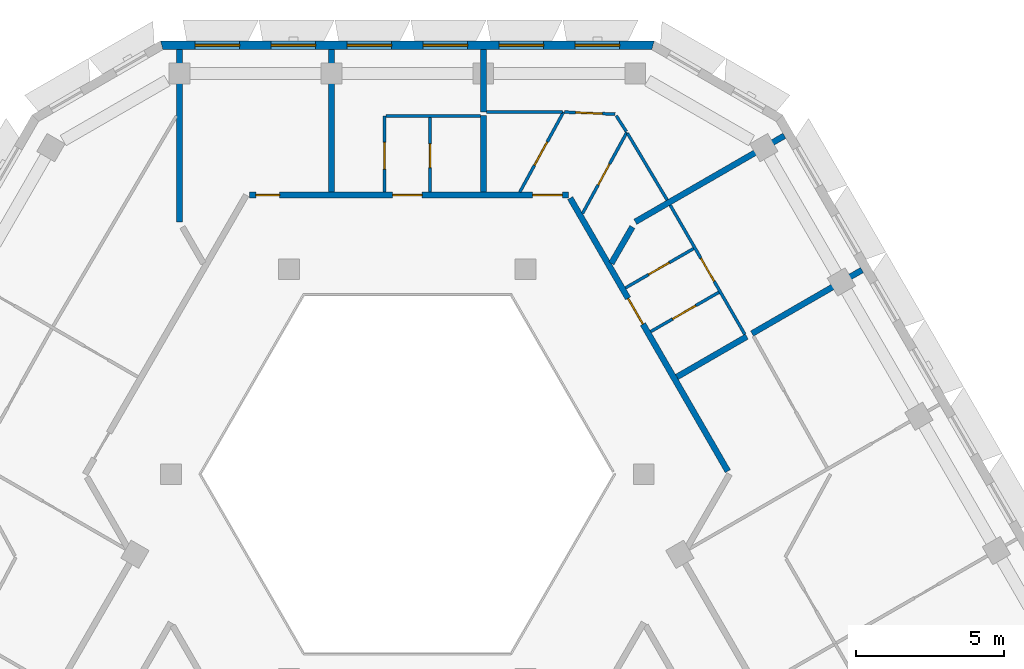
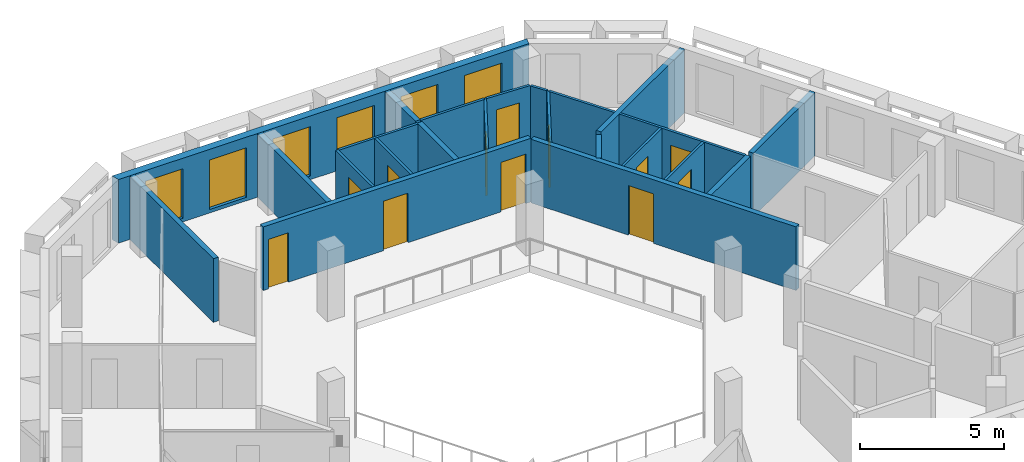
# One storey, part 8 of 16: 23 walls, 12 doors, 6 windows, 18 openings.
"""IFC4 building model written with IfcOpenShell, lengths in metres."""

from ifc_helpers import new_model, si_unit, direction, frame, frame_2d, origin, place, context, subcontext, project, spatial, polyline, rectangle, outline, extrude, material, layer, layer_set, type_object, element, fill, save


model = new_model("IFC4")

# Units and contexts
model_context = context("Model", 3, precision=1e-05, world=origin(), true_north=direction((0.0, 1.0)))
body_context = subcontext(model_context, "Body", "Model", "MODEL_VIEW")
ifc_project = project(units=[si_unit("LENGTHUNIT", "METRE"), si_unit("AREAUNIT", "SQUARE_METRE"), si_unit("VOLUMEUNIT", "CUBIC_METRE"), si_unit("PLANEANGLEUNIT", "RADIAN"), si_unit("MASSUNIT", "GRAM", prefix="KILO")], contexts=[model_context])

# Site, building, storey
site_placement = place(None, origin())
site = spatial("IfcSite", under=ifc_project, at=site_placement, CompositionType="ELEMENT")
building_placement = place(site_placement, origin())
building = spatial("IfcBuilding", under=site, at=building_placement, Name="Beryl Residences", CompositionType="ELEMENT")
storey_placement = place(building_placement, frame((0.0, 0.0, 226.800048828125)))
storey = spatial("IfcBuildingStorey", under=building, at=storey_placement, Name="L70", CompositionType="ELEMENT", Elevation=226.800048828125)

# Wall, openings, windows
ifc_material_1 = material(Name="Composite metal panel with mineral wool insulation")
ifc_layer_1 = layer(ifc_material_1, 0.300048828125)
ifc_layer_set_1 = layer_set([ifc_layer_1], Name="ES1 pale metal composite panel wall 300 mm")
wall_type_1 = type_object("IfcWallType", Name="ES1 pale metal composite panel wall 300 mm", PredefinedType="SOLIDWALL", material=ifc_layer_set_1)
wall_1_placement = place(storey_placement, frame((8.31396484375, 22.449951171875, 0.0), z_axis=(0.0, 0.0, 1.0), x_axis=(-1.0, 0.0, 0.0)))
wall_1 = element("IfcWall", 1, at=wall_1_placement, inside=storey, type_object=wall_type_1, Name="ES1 external wall L70 N", PredefinedType="SOLIDWALL", context=body_context, shape_type="SweptSolid", body=[
    extrude(outline(polyline([(0.0, -0.14990234375), (16.6279296875, -0.14990234375), (16.547607421875, 0.14990234375), (0.080322265625, 0.14990234375), (0.0, -0.14990234375)])), origin(), (0.0, 0.0, 1.0), 2.699951171875),
])
opening_1_placement = place(wall_1_placement, frame((1.1650390625, 0.0, 0.14990234375)))
opening_1 = element("IfcOpeningElement", 2, at=opening_1_placement, cuts=wall_1, Name="Opening W1", PredefinedType="OPENING", context=body_context, shape_type="SweptSolid", body=[
    extrude(rectangle(XDim=1.5, YDim=2.10009765625, at=frame_2d((0.75, 1.050048828125))), frame((0.0, 0.159912109375, 0.0), z_axis=(0.0, -1.0, 0.0), x_axis=(1.0, 0.0, 0.0)), (0.0, 0.0, 1.0), 0.320068359375),
])
opening_2_placement = place(wall_1_placement, frame((3.72412109375, 0.0, 0.14990234375)))
opening_2 = element("IfcOpeningElement", 3, at=opening_2_placement, cuts=wall_1, Name="Opening W1", PredefinedType="OPENING", context=body_context, shape_type="SweptSolid", body=[
    extrude(rectangle(XDim=1.5, YDim=2.10009765625, at=frame_2d((0.75, 1.050048828125))), frame((0.0, 0.159912109375, 0.0), z_axis=(0.0, -1.0, 0.0), x_axis=(1.0, 0.0, 0.0)), (0.0, 0.0, 1.0), 0.320068359375),
])
opening_3_placement = place(wall_1_placement, frame((6.283935546875, 0.0, 0.14990234375)))
opening_3 = element("IfcOpeningElement", 4, at=opening_3_placement, cuts=wall_1, Name="Opening W1", PredefinedType="OPENING", context=body_context, shape_type="SweptSolid", body=[
    extrude(rectangle(XDim=1.5, YDim=2.10009765625, at=frame_2d((0.75, 1.050048828125))), frame((0.0, 0.159912109375, 0.0), z_axis=(0.0, -1.0, 0.0), x_axis=(1.0, 0.0, 0.0)), (0.0, 0.0, 1.0), 0.320068359375),
])
opening_4_placement = place(wall_1_placement, frame((8.843017578125, 0.0, 0.14990234375)))
opening_4 = element("IfcOpeningElement", 5, at=opening_4_placement, cuts=wall_1, Name="Opening W1", PredefinedType="OPENING", context=body_context, shape_type="SweptSolid", body=[
    extrude(rectangle(XDim=1.5, YDim=2.10009765625, at=frame_2d((0.75, 1.050048828125))), frame((0.0, 0.159912109375, 0.0), z_axis=(0.0, -1.0, 0.0), x_axis=(1.0, 0.0, 0.0)), (0.0, 0.0, 1.0), 0.320068359375),
])
opening_5_placement = place(wall_1_placement, frame((11.403076171875, 0.0, 0.14990234375)))
opening_5 = element("IfcOpeningElement", 6, at=opening_5_placement, cuts=wall_1, Name="Opening W1", PredefinedType="OPENING", context=body_context, shape_type="SweptSolid", body=[
    extrude(rectangle(XDim=1.5, YDim=2.10009765625, at=frame_2d((0.75, 1.050048828125))), frame((0.0, 0.159912109375, 0.0), z_axis=(0.0, -1.0, 0.0), x_axis=(1.0, 0.0, 0.0)), (0.0, 0.0, 1.0), 0.320068359375),
])
opening_6_placement = place(wall_1_placement, frame((13.9619140625, 0.0, 0.14990234375)))
opening_6 = element("IfcOpeningElement", 7, at=opening_6_placement, cuts=wall_1, Name="Opening W1", PredefinedType="OPENING", context=body_context, shape_type="SweptSolid", body=[
    extrude(rectangle(XDim=1.5, YDim=2.10009765625, at=frame_2d((0.75, 1.050048828125))), frame((0.0, 0.159912109375, 0.0), z_axis=(0.0, -1.0, 0.0), x_axis=(1.0, 0.0, 0.0)), (0.0, 0.0, 1.0), 0.320068359375),
])
ifc_material_2 = material(Name="Aluminium and clear glass", Category="aluminium")
window_type = type_object("IfcWindowType", Name="W1 cell window 1500 x 2100 mm", PartitioningType="SINGLE_PANEL", PredefinedType="WINDOW", material=ifc_material_2)
window_1_placement = place(opening_1_placement, origin())
window_1 = element("IfcWindow", 8, at=window_1_placement, inside=storey, type_object=window_type, Name="W1 window L70 N 1", OverallHeight=2.10009765625, OverallWidth=1.5, PartitioningType="SINGLE_PANEL", PredefinedType="WINDOW", context=body_context, shape_type="SweptSolid", body=[
    extrude(rectangle(XDim=1.5, YDim=2.10009765625, at=frame_2d((0.75, 1.050048828125))), frame((0.0, 0.030029296875, 0.0), z_axis=(0.0, -1.0, 0.0), x_axis=(1.0, 0.0, 0.0)), (0.0, 0.0, 1.0), 0.06005859375),
])
fill(opening_1, window_1)
window_2_placement = place(opening_2_placement, origin())
window_2 = element("IfcWindow", 9, at=window_2_placement, inside=storey, type_object=window_type, Name="W1 window L70 N 2", OverallHeight=2.10009765625, OverallWidth=1.5, PartitioningType="SINGLE_PANEL", PredefinedType="WINDOW", context=body_context, shape_type="SweptSolid", body=[
    extrude(rectangle(XDim=1.5, YDim=2.10009765625, at=frame_2d((0.75, 1.050048828125))), frame((0.0, 0.030029296875, 0.0), z_axis=(0.0, -1.0, 0.0), x_axis=(1.0, 0.0, 0.0)), (0.0, 0.0, 1.0), 0.06005859375),
])
fill(opening_2, window_2)
window_3_placement = place(opening_3_placement, origin())
window_3 = element("IfcWindow", 10, at=window_3_placement, inside=storey, type_object=window_type, Name="W1 window L70 N 3", OverallHeight=2.10009765625, OverallWidth=1.5, PartitioningType="SINGLE_PANEL", PredefinedType="WINDOW", context=body_context, shape_type="SweptSolid", body=[
    extrude(rectangle(XDim=1.5, YDim=2.10009765625, at=frame_2d((0.75, 1.050048828125))), frame((0.0, 0.030029296875, 0.0), z_axis=(0.0, -1.0, 0.0), x_axis=(1.0, 0.0, 0.0)), (0.0, 0.0, 1.0), 0.06005859375),
])
fill(opening_3, window_3)
window_4_placement = place(opening_4_placement, origin())
window_4 = element("IfcWindow", 11, at=window_4_placement, inside=storey, type_object=window_type, Name="W1 window L70 N 4", OverallHeight=2.10009765625, OverallWidth=1.5, PartitioningType="SINGLE_PANEL", PredefinedType="WINDOW", context=body_context, shape_type="SweptSolid", body=[
    extrude(rectangle(XDim=1.5, YDim=2.10009765625, at=frame_2d((0.75, 1.050048828125))), frame((0.0, 0.030029296875, 0.0), z_axis=(0.0, -1.0, 0.0), x_axis=(1.0, 0.0, 0.0)), (0.0, 0.0, 1.0), 0.06005859375),
])
fill(opening_4, window_4)
window_5_placement = place(opening_5_placement, origin())
window_5 = element("IfcWindow", 12, at=window_5_placement, inside=storey, type_object=window_type, Name="W1 window L70 N 5", OverallHeight=2.10009765625, OverallWidth=1.5, PartitioningType="SINGLE_PANEL", PredefinedType="WINDOW", context=body_context, shape_type="SweptSolid", body=[
    extrude(rectangle(XDim=1.5, YDim=2.10009765625, at=frame_2d((0.75, 1.050048828125))), frame((0.0, 0.030029296875, 0.0), z_axis=(0.0, -1.0, 0.0), x_axis=(1.0, 0.0, 0.0)), (0.0, 0.0, 1.0), 0.06005859375),
])
fill(opening_5, window_5)
window_6_placement = place(opening_6_placement, origin())
window_6 = element("IfcWindow", 13, at=window_6_placement, inside=storey, type_object=window_type, Name="W1 window L70 N 6", OverallHeight=2.10009765625, OverallWidth=1.5, PartitioningType="SINGLE_PANEL", PredefinedType="WINDOW", context=body_context, shape_type="SweptSolid", body=[
    extrude(rectangle(XDim=1.5, YDim=2.10009765625, at=frame_2d((0.75, 1.050048828125))), frame((0.0, 0.030029296875, 0.0), z_axis=(0.0, -1.0, 0.0), x_axis=(1.0, 0.0, 0.0)), (0.0, 0.0, 1.0), 0.06005859375),
])
fill(opening_6, window_6)

# Walls
ifc_material_3 = material(Name="Gypsum board partition on steel studs", Category="steel")
ifc_layer_2 = layer(ifc_material_3, 0.10009765625)
ifc_layer_set_2 = layer_set([ifc_layer_2], Name="PT1 partition 100 mm gypsum board on steel studs")
wall_type_2 = type_object("IfcWallType", Name="PT1 partition 100 mm gypsum board on steel studs", PredefinedType="PARTITIONING", material=ifc_layer_set_2)
wall_2_placement = place(storey_placement, frame((7.034912109375, 20.076904296875, 0.0), z_axis=(0.0, 0.0, 1.0), x_axis=(0.540425167977, -0.841392083286, 0.0)))
element("IfcWall", 14, at=wall_2_placement, inside=storey, type_object=wall_type_2, Name="Wall PT1 L70 003", PredefinedType="PARTITIONING", context=body_context, shape_type="SweptSolid", body=[
    extrude(rectangle(XDim=0.631103515625, YDim=0.10009765625, at=frame_2d((0.3154296875, 0.0))), origin(), (0.0, 0.0, 1.0), 2.699951171875),
])
wall_3_placement = place(storey_placement, frame((7.4140625, 19.48388671875, 0.0), z_axis=(0.0, 0.0, 1.0), x_axis=(0.511734837015, -0.859143443544, 0.0)))
element("IfcWall", 15, at=wall_3_placement, inside=storey, type_object=wall_type_2, Name="Wall PT1 L70 004", PredefinedType="PARTITIONING", context=body_context, shape_type="SweptSolid", body=[
    extrude(rectangle(XDim=2.6162109375, YDim=0.10009765625, at=frame_2d((1.30810546875, 0.0))), origin(), (0.0, 0.0, 1.0), 2.699951171875),
])

# Wall, opening, door
wall_4_placement = place(storey_placement, frame((8.85400390625, 17.06396484375, 0.0), z_axis=(0.0, 0.0, 1.0), x_axis=(0.500042049778, -0.866001124973, 0.0)))
wall_4 = element("IfcWall", 16, at=wall_4_placement, inside=storey, type_object=wall_type_2, Name="Wall PT1 L70 006", PredefinedType="PARTITIONING", context=body_context, shape_type="SweptSolid", body=[
    extrude(rectangle(XDim=5.025390625, YDim=0.10009765625, at=frame_2d((2.5126953125, 0.0))), origin(), (0.0, 0.0, 1.0), 2.699951171875),
])
opening_7_placement = place(wall_4_placement, frame((2.06298828125, 0.0, 0.0)))
opening_7 = element("IfcOpeningElement", 17, at=opening_7_placement, cuts=wall_4, Name="Opening D1916", PredefinedType="OPENING", context=body_context, shape_type="SweptSolid", body=[
    extrude(rectangle(XDim=0.89990234375, YDim=2.10009765625, at=frame_2d((0.449951171875, 1.050048828125))), frame((0.0, 0.06005859375, 0.0), z_axis=(0.0, -1.0, 0.0), x_axis=(1.0, 0.0, 0.0)), (0.0, 0.0, 1.0), 0.1201171875),
])
ifc_material_4 = material(Name="Timber door leaf", Category="wood")
door_type_1 = type_object("IfcDoorType", Name="D2 room door 900 x 2100 mm", OperationType="SINGLE_SWING_LEFT", PredefinedType="DOOR", material=ifc_material_4)
door_1_placement = place(opening_7_placement, origin())
door_1 = element("IfcDoor", 18, at=door_1_placement, inside=storey, type_object=door_type_1, Name="Door D1916 L70 001", OperationType="SINGLE_SWING_RIGHT", OverallHeight=2.10009765625, OverallWidth=0.89990234375, PredefinedType="DOOR", context=body_context, shape_type="SweptSolid", body=[
    extrude(rectangle(XDim=0.89990234375, YDim=2.10009765625, at=frame_2d((0.449951171875, 1.050048828125))), frame((0.0, 0.02490234375, 0.0), z_axis=(0.0, -1.0, 0.0), x_axis=(1.0, 0.0, 0.0)), (0.0, 0.0, 1.0), 0.050048828125),
])
fill(opening_7, door_1)

wall_5_placement = place(storey_placement, frame((5.2939453125, 20.197998046875, 0.0), z_axis=(0.0, 0.0, 1.0), x_axis=(0.999159599203, -0.040988965834, 0.0)))
wall_5 = element("IfcWall", 19, at=wall_5_placement, inside=storey, type_object=wall_type_2, Name="Wall PT1 L70 012", PredefinedType="PARTITIONING", context=body_context, shape_type="SweptSolid", body=[
    extrude(rectangle(XDim=1.70947265625, YDim=0.10009765625, at=frame_2d((0.854736328125, 0.0))), origin(), (0.0, 0.0, 1.0), 2.699951171875),
])
opening_8_placement = place(wall_5_placement, frame((0.376953125, 0.0, 0.0)))
opening_8 = element("IfcOpeningElement", 20, at=opening_8_placement, cuts=wall_5, Name="Opening D1920", PredefinedType="OPENING", context=body_context, shape_type="SweptSolid", body=[
    extrude(rectangle(XDim=0.89990234375, YDim=2.10009765625, at=frame_2d((0.449951171875, 1.050048828125))), frame((0.0, 0.06005859375, 0.0), z_axis=(0.0, -1.0, 0.0), x_axis=(1.0, 0.0, 0.0)), (0.0, 0.0, 1.0), 0.1201171875),
])
door_2_placement = place(opening_8_placement, origin())
door_2 = element("IfcDoor", 21, at=door_2_placement, inside=storey, type_object=door_type_1, Name="Door D1920 L70 001", OperationType="SINGLE_SWING_RIGHT", OverallHeight=2.10009765625, OverallWidth=0.89990234375, PredefinedType="DOOR", context=body_context, shape_type="SweptSolid", body=[
    extrude(rectangle(XDim=0.89990234375, YDim=2.10009765625, at=frame_2d((0.449951171875, 1.050048828125))), frame((0.0, 0.02490234375, 0.0), z_axis=(0.0, -1.0, 0.0), x_axis=(1.0, 0.0, 0.0)), (0.0, 0.0, 1.0), 0.050048828125),
])
fill(opening_8, door_2)

# Walls
wall_6_placement = place(storey_placement, frame((-0.716064453125, 20.06005859375, 0.0), z_axis=(0.0, 0.0, 1.0), x_axis=(1.0, 0.0, 0.0)))
element("IfcWall", 22, at=wall_6_placement, inside=storey, type_object=wall_type_2, Name="Wall PT1 L70 021", PredefinedType="PARTITIONING", context=body_context, shape_type="SweptSolid", body=[
    extrude(rectangle(XDim=3.176025390625, YDim=0.10009765625, at=frame_2d((1.587890625, 0.0))), origin(), (0.0, 0.0, 1.0), 2.699951171875),
])
wall_7_placement = place(storey_placement, frame((2.659912109375, 20.199951171875, 0.0), z_axis=(0.0, 0.0, 1.0), x_axis=(1.0, 0.0, 0.0)))
element("IfcWall", 23, at=wall_7_placement, inside=storey, type_object=wall_type_2, Name="Wall PT1 L70 022", PredefinedType="PARTITIONING", context=body_context, shape_type="SweptSolid", body=[
    extrude(rectangle(XDim=2.564208984375, YDim=0.10009765625, at=frame_2d((1.2822265625, 0.0))), origin(), (0.0, 0.0, 1.0), 2.699951171875),
])

# Wall, opening, door
wall_8_placement = place(storey_placement, frame((3.787109375, 17.5, 0.0), z_axis=(0.0, 0.0, 1.0), x_axis=(0.479146828267, 0.877734764585, 0.0)))
wall_8 = element("IfcWall", 24, at=wall_8_placement, inside=storey, type_object=wall_type_2, Name="Wall PT1 L70 028", PredefinedType="PARTITIONING", context=body_context, shape_type="SweptSolid", body=[
    extrude(rectangle(XDim=3.075927734375, YDim=0.10009765625, at=frame_2d((1.5380859375, 0.0))), origin(), (0.0, 0.0, 1.0), 2.699951171875),
])
opening_9_placement = place(wall_8_placement, frame((1.031005859375, 0.0, 0.0)))
opening_9 = element("IfcOpeningElement", 25, at=opening_9_placement, cuts=wall_8, Name="Opening D1919", PredefinedType="OPENING", context=body_context, shape_type="SweptSolid", body=[
    extrude(rectangle(XDim=0.89990234375, YDim=2.10009765625, at=frame_2d((0.449951171875, 1.050048828125))), frame((0.0, 0.06005859375, 0.0), z_axis=(0.0, -1.0, 0.0), x_axis=(1.0, 0.0, 0.0)), (0.0, 0.0, 1.0), 0.1201171875),
])
door_3_placement = place(opening_9_placement, origin())
door_3 = element("IfcDoor", 26, at=door_3_placement, inside=storey, type_object=door_type_1, Name="Door D1919 L70 001", OperationType="SINGLE_SWING_LEFT", OverallHeight=2.10009765625, OverallWidth=0.89990234375, PredefinedType="DOOR", context=body_context, shape_type="SweptSolid", body=[
    extrude(rectangle(XDim=0.89990234375, YDim=2.10009765625, at=frame_2d((0.449951171875, 1.050048828125))), frame((0.0, 0.02490234375, 0.0), z_axis=(0.0, -1.0, 0.0), x_axis=(1.0, 0.0, 0.0)), (0.0, 0.0, 1.0), 0.050048828125),
])
fill(opening_9, door_3)

wall_9_placement = place(storey_placement, frame((5.90087890625, 16.780029296875, 0.0), z_axis=(0.0, 0.0, 1.0), x_axis=(0.479148317257, 0.877733951759, 0.0)))
wall_9 = element("IfcWall", 27, at=wall_9_placement, inside=storey, type_object=wall_type_2, Name="Wall PT1 L70 029", PredefinedType="PARTITIONING", context=body_context, shape_type="SweptSolid", body=[
    extrude(rectangle(XDim=3.118408203125, YDim=0.10009765625, at=frame_2d((1.55908203125, 0.0))), origin(), (0.0, 0.0, 1.0), 2.699951171875),
])
opening_10_placement = place(wall_9_placement, frame((1.10107421875, 0.0, 0.0)))
opening_10 = element("IfcOpeningElement", 28, at=opening_10_placement, cuts=wall_9, Name="Opening D1918", PredefinedType="OPENING", context=body_context, shape_type="SweptSolid", body=[
    extrude(rectangle(XDim=0.800048828125, YDim=2.10009765625, at=frame_2d((0.39990234375, 1.050048828125))), frame((0.0, 0.06005859375, 0.0), z_axis=(0.0, -1.0, 0.0), x_axis=(1.0, 0.0, 0.0)), (0.0, 0.0, 1.0), 0.1201171875),
])
ifc_material_5 = material(Name="Timber door leaf", Category="wood")
door_type_2 = type_object("IfcDoorType", Name="D3 bathroom door 800 x 2100 mm", OperationType="SINGLE_SWING_LEFT", PredefinedType="DOOR", material=ifc_material_5)
door_4_placement = place(opening_10_placement, origin())
door_4 = element("IfcDoor", 29, at=door_4_placement, inside=storey, type_object=door_type_2, Name="Door D1918 L70 001", OperationType="SINGLE_SWING_RIGHT", OverallHeight=2.10009765625, OverallWidth=0.800048828125, PredefinedType="DOOR", context=body_context, shape_type="SweptSolid", body=[
    extrude(rectangle(XDim=0.800048828125, YDim=2.10009765625, at=frame_2d((0.39990234375, 1.050048828125))), frame((0.0, 0.02490234375, 0.0), z_axis=(0.0, -1.0, 0.0), x_axis=(1.0, 0.0, 0.0)), (0.0, 0.0, 1.0), 0.050048828125),
])
fill(opening_10, door_4)

wall_10_placement = place(storey_placement, frame((0.76806640625, 17.5, 0.0), z_axis=(0.0, 0.0, 1.0), x_axis=(0.0, 1.0, 0.0)))
wall_10 = element("IfcWall", 30, at=wall_10_placement, inside=storey, type_object=wall_type_2, Name="Wall PT1 L70 033", PredefinedType="PARTITIONING", context=body_context, shape_type="SweptSolid", body=[
    extrude(rectangle(XDim=2.510009765625, YDim=0.10009765625, at=frame_2d((1.2548828125, 0.0))), origin(), (0.0, 0.0, 1.0), 2.699951171875),
])
opening_11_placement = place(wall_10_placement, frame((0.830078125, 0.0, 0.0)))
opening_11 = element("IfcOpeningElement", 31, at=opening_11_placement, cuts=wall_10, Name="Opening D1923", PredefinedType="OPENING", context=body_context, shape_type="SweptSolid", body=[
    extrude(rectangle(XDim=0.800048828125, YDim=2.10009765625, at=frame_2d((0.39990234375, 1.050048828125))), frame((0.0, 0.06005859375, 0.0), z_axis=(0.0, -1.0, 0.0), x_axis=(1.0, 0.0, 0.0)), (0.0, 0.0, 1.0), 0.1201171875),
])
door_5_placement = place(opening_11_placement, origin())
door_5 = element("IfcDoor", 32, at=door_5_placement, inside=storey, type_object=door_type_2, Name="Door D1923 L70 001", OperationType="SINGLE_SWING_LEFT", OverallHeight=2.10009765625, OverallWidth=0.800048828125, PredefinedType="DOOR", context=body_context, shape_type="SweptSolid", body=[
    extrude(rectangle(XDim=0.800048828125, YDim=2.10009765625, at=frame_2d((0.39990234375, 1.050048828125))), frame((0.0, 0.02490234375, 0.0), z_axis=(0.0, -1.0, 0.0), x_axis=(1.0, 0.0, 0.0)), (0.0, 0.0, 1.0), 0.050048828125),
])
fill(opening_11, door_5)

wall_11_placement = place(storey_placement, frame((-0.76708984375, 17.5, 0.0), z_axis=(0.0, 0.0, 1.0), x_axis=(0.0, 1.0, 0.0)))
wall_11 = element("IfcWall", 33, at=wall_11_placement, inside=storey, type_object=wall_type_2, Name="Wall PT1 L70 035", PredefinedType="PARTITIONING", context=body_context, shape_type="SweptSolid", body=[
    extrude(rectangle(XDim=2.55908203125, YDim=0.10009765625, at=frame_2d((1.279541015625, 0.0))), origin(), (0.0, 0.0, 1.0), 2.699951171875),
])
opening_12_placement = place(wall_11_placement, frame((0.780029296875, 0.0, 0.0)))
opening_12 = element("IfcOpeningElement", 34, at=opening_12_placement, cuts=wall_11, Name="Opening D1922", PredefinedType="OPENING", context=body_context, shape_type="SweptSolid", body=[
    extrude(rectangle(XDim=0.89990234375, YDim=2.10009765625, at=frame_2d((0.449951171875, 1.050048828125))), frame((0.0, 0.06005859375, 0.0), z_axis=(0.0, -1.0, 0.0), x_axis=(1.0, 0.0, 0.0)), (0.0, 0.0, 1.0), 0.1201171875),
])
door_6_placement = place(opening_12_placement, origin())
door_6 = element("IfcDoor", 35, at=door_6_placement, inside=storey, type_object=door_type_1, Name="Door D1922 L70 001", OperationType="SINGLE_SWING_RIGHT", OverallHeight=2.10009765625, OverallWidth=0.89990234375, PredefinedType="DOOR", context=body_context, shape_type="SweptSolid", body=[
    extrude(rectangle(XDim=0.89990234375, YDim=2.10009765625, at=frame_2d((0.449951171875, 1.050048828125))), frame((0.0, 0.02490234375, 0.0), z_axis=(0.0, -1.0, 0.0), x_axis=(1.0, 0.0, 0.0)), (0.0, 0.0, 1.0), 0.050048828125),
])
fill(opening_12, door_6)

wall_12_placement = place(storey_placement, frame((8.197021484375, 12.802001953125, 0.0), z_axis=(0.0, 0.0, 1.0), x_axis=(0.866029095148, 0.499993606316, 0.0)))
wall_12 = element("IfcWall", 36, at=wall_12_placement, inside=storey, type_object=wall_type_2, Name="Wall PT1 L70 042", PredefinedType="PARTITIONING", context=body_context, shape_type="SweptSolid", body=[
    extrude(rectangle(XDim=2.64990234375, YDim=0.10009765625, at=frame_2d((1.324951171875, 0.0))), origin(), (0.0, 0.0, 1.0), 2.699951171875),
])
opening_13_placement = place(wall_12_placement, frame((0.85009765625, 0.0, 0.0)))
opening_13 = element("IfcOpeningElement", 37, at=opening_13_placement, cuts=wall_12, Name="Opening D1915", PredefinedType="OPENING", context=body_context, shape_type="SweptSolid", body=[
    extrude(rectangle(XDim=0.89990234375, YDim=2.10009765625, at=frame_2d((0.449951171875, 1.050048828125))), frame((0.0, 0.06005859375, 0.0), z_axis=(0.0, -1.0, 0.0), x_axis=(1.0, 0.0, 0.0)), (0.0, 0.0, 1.0), 0.1201171875),
])
door_7_placement = place(opening_13_placement, origin())
door_7 = element("IfcDoor", 38, at=door_7_placement, inside=storey, type_object=door_type_1, Name="Door D1915 L70 001", OperationType="SINGLE_SWING_LEFT", OverallHeight=2.10009765625, OverallWidth=0.89990234375, PredefinedType="DOOR", context=body_context, shape_type="SweptSolid", body=[
    extrude(rectangle(XDim=0.89990234375, YDim=2.10009765625, at=frame_2d((0.449951171875, 1.050048828125))), frame((0.0, 0.02490234375, 0.0), z_axis=(0.0, -1.0, 0.0), x_axis=(1.0, 0.0, 0.0)), (0.0, 0.0, 1.0), 0.050048828125),
])
fill(opening_13, door_7)

wall_13_placement = place(storey_placement, frame((7.346923828125, 14.27392578125, 0.0), z_axis=(0.0, 0.0, 1.0), x_axis=(0.86601223543, 0.500022807565, 0.0)))
wall_13 = element("IfcWall", 39, at=wall_13_placement, inside=storey, type_object=wall_type_2, Name="Wall PT1 L70 043", PredefinedType="PARTITIONING", context=body_context, shape_type="SweptSolid", body=[
    extrude(rectangle(XDim=2.650390625, YDim=0.10009765625, at=frame_2d((1.3251953125, 0.0))), origin(), (0.0, 0.0, 1.0), 2.699951171875),
])
opening_14_placement = place(wall_13_placement, frame((0.89990234375, 0.0, 0.0)))
opening_14 = element("IfcOpeningElement", 40, at=opening_14_placement, cuts=wall_13, Name="Opening D1914", PredefinedType="OPENING", context=body_context, shape_type="SweptSolid", body=[
    extrude(rectangle(XDim=0.800048828125, YDim=2.10009765625, at=frame_2d((0.39990234375, 1.050048828125))), frame((0.0, 0.06005859375, 0.0), z_axis=(0.0, -1.0, 0.0), x_axis=(1.0, 0.0, 0.0)), (0.0, 0.0, 1.0), 0.1201171875),
])
door_8_placement = place(opening_14_placement, origin())
door_8 = element("IfcDoor", 41, at=door_8_placement, inside=storey, type_object=door_type_2, Name="Door D1914 L70 001", OperationType="SINGLE_SWING_RIGHT", OverallHeight=2.10009765625, OverallWidth=0.800048828125, PredefinedType="DOOR", context=body_context, shape_type="SweptSolid", body=[
    extrude(rectangle(XDim=0.800048828125, YDim=2.10009765625, at=frame_2d((0.39990234375, 1.050048828125))), frame((0.0, 0.02490234375, 0.0), z_axis=(0.0, -1.0, 0.0), x_axis=(1.0, 0.0, 0.0)), (0.0, 0.0, 1.0), 0.050048828125),
])
fill(opening_14, door_8)

# Walls
ifc_material_6 = material(Name="Acoustic double stud gypsum board wall")
ifc_layer_3 = layer(ifc_material_6, 0.199951171875)
ifc_layer_set_3 = layer_set([ifc_layer_3], Name="PT3 party wall 200 mm acoustic double stud")
wall_type_3 = type_object("IfcWallType", Name="PT3 party wall 200 mm acoustic double stud", PredefinedType="PARTITIONING", material=ifc_layer_set_3)
wall_14_placement = place(storey_placement, frame((-2.55908203125, 22.300048828125, 0.0), z_axis=(0.0, 0.0, 1.0), x_axis=(0.0, -1.0, 0.0)))
element("IfcWall", 42, at=wall_14_placement, inside=storey, type_object=wall_type_3, Name="Wall PT3 L70 003", PredefinedType="PARTITIONING", context=body_context, shape_type="SweptSolid", body=[
    extrude(rectangle(XDim=4.800048828125, YDim=0.199951171875, at=frame_2d((2.39990234375, 0.0))), origin(), (0.0, 0.0, 1.0), 2.699951171875),
])
wall_15_placement = place(storey_placement, frame((2.56005859375, 20.080078125, 0.0), z_axis=(0.0, 0.0, 1.0), x_axis=(0.0, -1.0, 0.0)))
element("IfcWall", 43, at=wall_15_placement, inside=storey, type_object=wall_type_3, Name="Wall PT3 L70 004", PredefinedType="PARTITIONING", context=body_context, shape_type="SweptSolid", body=[
    extrude(rectangle(XDim=2.580078125, YDim=0.199951171875, at=frame_2d((1.2900390625, 0.0))), origin(), (0.0, 0.0, 1.0), 2.699951171875),
])
wall_16_placement = place(storey_placement, frame((6.87109375, 15.10009765625, 0.0), z_axis=(0.0, 0.0, 1.0), x_axis=(0.50006528296, 0.865987709369, 0.0)))
element("IfcWall", 44, at=wall_16_placement, inside=storey, type_object=wall_type_3, Name="Wall PT3 L70 010", PredefinedType="PARTITIONING", context=body_context, shape_type="SweptSolid", body=[
    extrude(rectangle(XDim=1.417724609375, YDim=0.199951171875, at=frame_2d((0.708984375, 0.0))), origin(), (0.0, 0.0, 1.0), 2.699951171875),
])
wall_17_placement = place(storey_placement, frame((2.56005859375, 20.199951171875, 0.0), z_axis=(0.0, 0.0, 1.0), x_axis=(0.0, 1.0, 0.0)))
element("IfcWall", 45, at=wall_17_placement, inside=storey, type_object=wall_type_3, Name="Wall PT3 L70 011", PredefinedType="PARTITIONING", context=body_context, shape_type="SweptSolid", body=[
    extrude(rectangle(XDim=2.10009765625, YDim=0.199951171875, at=frame_2d((1.050048828125, 0.0))), origin(), (0.0, 0.0, 1.0), 2.699951171875),
])
wall_18_placement = place(storey_placement, frame((-7.677978515625, 16.4990234375, 0.0), z_axis=(0.0, 0.0, 1.0), x_axis=(0.0, 1.0, 0.0)))
element("IfcWall", 46, at=wall_18_placement, inside=storey, type_object=wall_type_3, Name="Wall PT3 L70 012", PredefinedType="PARTITIONING", context=body_context, shape_type="SweptSolid", body=[
    extrude(rectangle(XDim=5.801025390625, YDim=0.199951171875, at=frame_2d((2.900390625, 0.0))), origin(), (0.0, 0.0, 1.0), 2.699951171875),
])
wall_19_placement = place(storey_placement, frame((9.0791015625, 11.27490234375, 0.0), z_axis=(0.0, 0.0, 1.0), x_axis=(0.865952340496, 0.500126527981, 0.0)))
element("IfcWall", 47, at=wall_19_placement, inside=storey, type_object=wall_type_3, Name="Wall PT3 L70 013", PredefinedType="PARTITIONING", context=body_context, shape_type="SweptSolid", body=[
    extrude(rectangle(XDim=2.719482421875, YDim=0.199951171875, at=frame_2d((1.35986328125, 0.0))), origin(), (0.0, 0.0, 1.0), 2.699951171875),
])
wall_20_placement = place(storey_placement, frame((11.611083984375, 12.737060546875, 0.0), z_axis=(0.0, 0.0, 1.0), x_axis=(0.866017282483, 0.500014066243, 0.0)))
element("IfcWall", 48, at=wall_20_placement, inside=storey, type_object=wall_type_3, Name="Wall PT3 L70 014", PredefinedType="PARTITIONING", context=body_context, shape_type="SweptSolid", body=[
    extrude(rectangle(XDim=4.27587890625, YDim=0.199951171875, at=frame_2d((2.137939453125, 0.0))), origin(), (0.0, 0.0, 1.0), 2.699951171875),
])
wall_21_placement = place(storey_placement, frame((7.679931640625, 16.5009765625, 0.0), z_axis=(0.0, 0.0, 1.0), x_axis=(0.86602149507, 0.500006770031, 0.0)))
element("IfcWall", 49, at=wall_21_placement, inside=storey, type_object=wall_type_3, Name="Wall PT3 L70 015", PredefinedType="PARTITIONING", context=body_context, shape_type="SweptSolid", body=[
    extrude(rectangle(XDim=5.7978515625, YDim=0.199951171875, at=frame_2d((2.89892578125, 0.0))), origin(), (0.0, 0.0, 1.0), 2.699951171875),
])

# Wall, opening, door
ifc_material_7 = material(Name="Double stud gypsum board wall")
ifc_layer_4 = layer(ifc_material_7, 0.199951171875)
ifc_layer_set_4 = layer_set([ifc_layer_4], Name="PT4 corridor wall 200 mm double stud")
wall_type_4 = type_object("IfcWallType", Name="PT4 corridor wall 200 mm double stud", PredefinedType="PARTITIONING", material=ifc_layer_set_4)
wall_22_placement = place(storey_placement, frame((5.485107421875, 17.300048828125, 0.0), z_axis=(0.0, 0.0, 1.0), x_axis=(0.499943285704, -0.866058145322, 0.0)))
wall_22 = element("IfcWall", 50, at=wall_22_placement, inside=storey, type_object=wall_type_4, Name="Wall PT4 L70 007", PredefinedType="PARTITIONING", context=body_context, shape_type="SweptSolid", body=[
    extrude(rectangle(XDim=10.622802734375, YDim=0.199951171875, at=frame_2d((5.3115234375, 0.0))), origin(), (0.0, 0.0, 1.0), 2.699951171875),
])
opening_15_placement = place(wall_22_placement, frame((3.90087890625, 0.0, 0.0)))
opening_15 = element("IfcOpeningElement", 51, at=opening_15_placement, cuts=wall_22, Name="Opening D1913", PredefinedType="OPENING", context=body_context, shape_type="SweptSolid", body=[
    extrude(rectangle(XDim=1.0, YDim=2.10009765625, at=frame_2d((0.5, 1.050048828125))), frame((0.0, 0.10986328125, 0.0), z_axis=(0.0, -1.0, 0.0), x_axis=(1.0, 0.0, 0.0)), (0.0, 0.0, 1.0), 0.219970703125),
])
ifc_material_8 = material(Name="Timber door leaf", Category="wood")
door_type_3 = type_object("IfcDoorType", Name="D1 flat entrance door 1000 x 2100 mm", OperationType="SINGLE_SWING_LEFT", PredefinedType="DOOR", material=ifc_material_8)
door_9_placement = place(opening_15_placement, origin())
door_9 = element("IfcDoor", 52, at=door_9_placement, inside=storey, type_object=door_type_3, Name="Door D1913 L70 001", OperationType="SINGLE_SWING_LEFT", OverallHeight=2.10009765625, OverallWidth=1.0, PredefinedType="DOOR", context=body_context, shape_type="SweptSolid", body=[
    extrude(rectangle(XDim=1.0, YDim=2.10009765625, at=frame_2d((0.5, 1.050048828125))), frame((0.0, 0.02490234375, 0.0), z_axis=(0.0, -1.0, 0.0), x_axis=(1.0, 0.0, 0.0)), (0.0, 0.0, 1.0), 0.050048828125),
])
fill(opening_15, door_9)

# Wall, openings, doors
wall_23_placement = place(storey_placement, frame((-5.31201171875, 17.39990234375, 0.0), z_axis=(0.0, 0.0, 1.0), x_axis=(1.0, 0.0, 0.0)))
wall_23 = element("IfcWall", 53, at=wall_23_placement, inside=storey, type_object=wall_type_4, Name="Wall PT4 L70 017", PredefinedType="PARTITIONING", context=body_context, shape_type="SweptSolid", body=[
    extrude(rectangle(XDim=10.739013671875, YDim=0.199951171875, at=frame_2d((5.36962890625, 0.0))), origin(), (0.0, 0.0, 1.0), 2.699951171875),
])
opening_16_placement = place(wall_23_placement, frame((9.533935546875, 0.0, 0.0)))
opening_16 = element("IfcOpeningElement", 54, at=opening_16_placement, cuts=wall_23, Name="Opening D1917", PredefinedType="OPENING", context=body_context, shape_type="SweptSolid", body=[
    extrude(rectangle(XDim=1.0, YDim=2.10009765625, at=frame_2d((0.5, 1.050048828125))), frame((0.0, 0.10986328125, 0.0), z_axis=(0.0, -1.0, 0.0), x_axis=(1.0, 0.0, 0.0)), (0.0, 0.0, 1.0), 0.219970703125),
])
opening_17_placement = place(wall_23_placement, frame((4.81201171875, 0.0, 0.0)))
opening_17 = element("IfcOpeningElement", 55, at=opening_17_placement, cuts=wall_23, Name="Opening D1921", PredefinedType="OPENING", context=body_context, shape_type="SweptSolid", body=[
    extrude(rectangle(XDim=1.0, YDim=2.10009765625, at=frame_2d((0.5, 1.050048828125))), frame((0.0, 0.10986328125, 0.0), z_axis=(0.0, -1.0, 0.0), x_axis=(1.0, 0.0, 0.0)), (0.0, 0.0, 1.0), 0.219970703125),
])
opening_18_placement = place(wall_23_placement, frame((0.2080078125, 0.0, 0.0)))
opening_18 = element("IfcOpeningElement", 56, at=opening_18_placement, cuts=wall_23, Name="Opening D1924", PredefinedType="OPENING", context=body_context, shape_type="SweptSolid", body=[
    extrude(rectangle(XDim=0.800048828125, YDim=2.10009765625, at=frame_2d((0.39990234375, 1.050048828125))), frame((0.0, 0.10986328125, 0.0), z_axis=(0.0, -1.0, 0.0), x_axis=(1.0, 0.0, 0.0)), (0.0, 0.0, 1.0), 0.219970703125),
])
door_10_placement = place(opening_16_placement, origin())
door_10 = element("IfcDoor", 57, at=door_10_placement, inside=storey, type_object=door_type_3, Name="Door D1917 L70 001", OperationType="SINGLE_SWING_LEFT", OverallHeight=2.10009765625, OverallWidth=1.0, PredefinedType="DOOR", context=body_context, shape_type="SweptSolid", body=[
    extrude(rectangle(XDim=1.0, YDim=2.10009765625, at=frame_2d((0.5, 1.050048828125))), frame((0.0, 0.02490234375, 0.0), z_axis=(0.0, -1.0, 0.0), x_axis=(1.0, 0.0, 0.0)), (0.0, 0.0, 1.0), 0.050048828125),
])
fill(opening_16, door_10)
door_11_placement = place(opening_17_placement, origin())
door_11 = element("IfcDoor", 58, at=door_11_placement, inside=storey, type_object=door_type_3, Name="Door D1921 L70 001", OperationType="SINGLE_SWING_LEFT", OverallHeight=2.10009765625, OverallWidth=1.0, PredefinedType="DOOR", context=body_context, shape_type="SweptSolid", body=[
    extrude(rectangle(XDim=1.0, YDim=2.10009765625, at=frame_2d((0.5, 1.050048828125))), frame((0.0, 0.02490234375, 0.0), z_axis=(0.0, -1.0, 0.0), x_axis=(1.0, 0.0, 0.0)), (0.0, 0.0, 1.0), 0.050048828125),
])
fill(opening_17, door_11)
door_12_placement = place(opening_18_placement, origin())
door_12 = element("IfcDoor", 59, at=door_12_placement, inside=storey, type_object=door_type_2, Name="Door D1924 L70 001", OperationType="SINGLE_SWING_RIGHT", OverallHeight=2.10009765625, OverallWidth=0.800048828125, PredefinedType="DOOR", context=body_context, shape_type="SweptSolid", body=[
    extrude(rectangle(XDim=0.800048828125, YDim=2.10009765625, at=frame_2d((0.39990234375, 1.050048828125))), frame((0.0, 0.02490234375, 0.0), z_axis=(0.0, -1.0, 0.0), x_axis=(1.0, 0.0, 0.0)), (0.0, 0.0, 1.0), 0.050048828125),
])
fill(opening_18, door_12)

save(model, "model.ifc")
